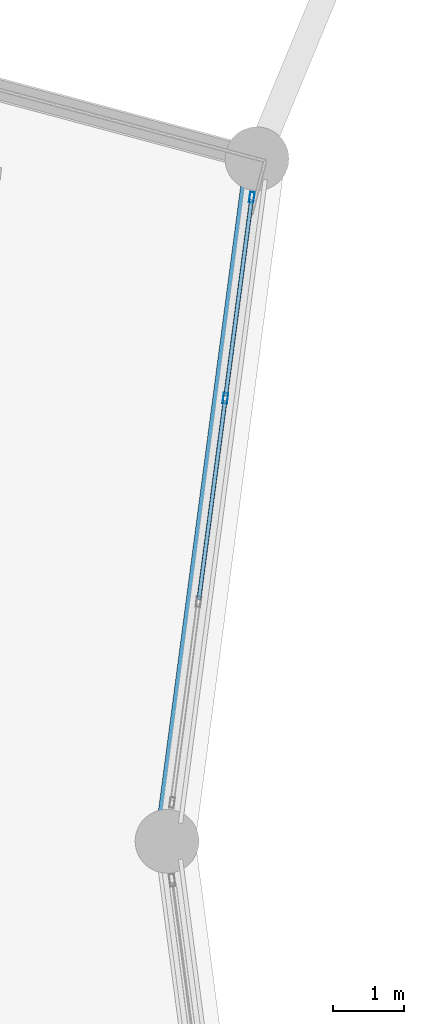
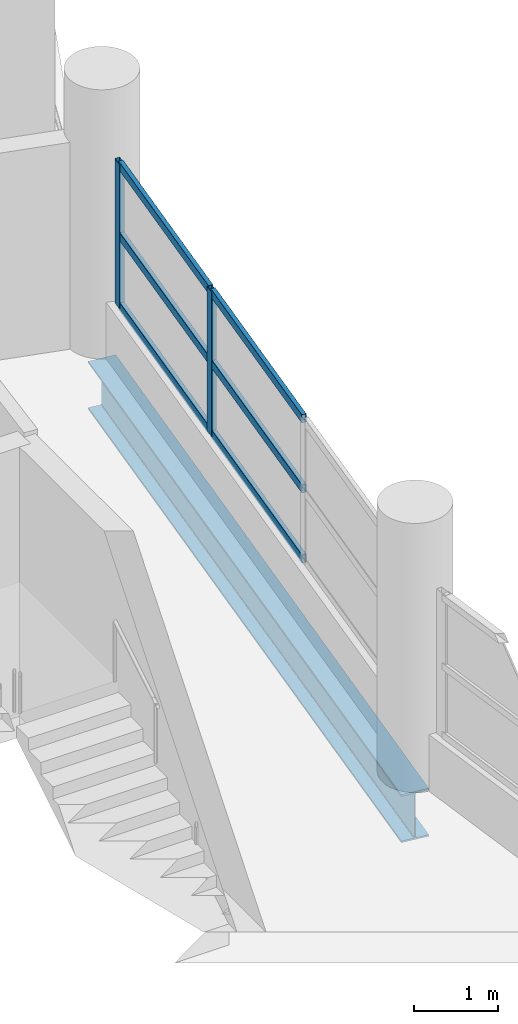
# One storey, part 32 of 88: 8 members, 1 beam, 1 element without a shape of its own.
"""IFC4 building model written with IfcOpenShell, lengths in metres."""

from ifc_helpers import new_model, si_unit, direction, frame, origin, origin_2d, place, context, subcontext, project, spatial, hollow_rectangle, i_section, extrude, material, layer, layer_set, material_profile, profile_set, type_object, element, aggregate, save


model = new_model("IFC4")

# Units and contexts
model_context = context("Model", 3, precision=1e-05, world=origin(), true_north=direction((0.0, 1.0)))
body_context = subcontext(model_context, "Body", "Model", "MODEL_VIEW")
ifc_project = project(units=[si_unit("LENGTHUNIT", "METRE"), si_unit("AREAUNIT", "SQUARE_METRE"), si_unit("VOLUMEUNIT", "CUBIC_METRE"), si_unit("PLANEANGLEUNIT", "RADIAN"), si_unit("MASSUNIT", "GRAM", prefix="KILO")], contexts=[model_context])

# Site, building, storey
site_placement = place(None, origin())
site = spatial("IfcSite", under=ifc_project, at=site_placement, CompositionType="ELEMENT")
building_placement = place(site_placement, origin())
building = spatial("IfcBuilding", under=site, at=building_placement, Name="Vespera Passage Community Centre", CompositionType="ELEMENT")
storey_placement = place(building_placement, frame((0.0, 0.0, 16.5)))
storey = spatial("IfcBuildingStorey", under=building, at=storey_placement, Name="L04", CompositionType="ELEMENT", Elevation=16.5)

# Beam
ifc_material_1 = material(Name="Steel ASTM A992 Grade 50", Category="steel")
ifc_material_profile_1 = material_profile(ifc_material_1, i_section(OverallWidth=0.3544921875, OverallDepth=0.695556640625, WebThickness=0.015380859375, FlangeThickness=0.024658203125, FilletRadius=0.01513671875, at=origin_2d()), Name="W27X146")
ifc_profile_set_1 = profile_set([ifc_material_profile_1], Name="Steel ASTM A992 Grade 50")
beam_type = type_object("IfcBeamType", Name="BM-SP-W27X146E", PredefinedType="SPANDREL", material=ifc_profile_set_1)
beam_placement = place(storey_placement, frame((42.067626953125, 75.128173828125, -0.647705078125), z_axis=(-0.130526697639, -0.991444794834, 0.0), x_axis=(0.991444794834, -0.130526697639, 0.0)))
element("IfcBeam", 1, at=beam_placement, inside=storey, type_object=beam_type, Name="V4 L04 Inner Spandrel 11", PredefinedType="SPANDREL", context=body_context, shape_type="SweptSolid", body=[
    extrude(i_section(OverallWidth=0.3544921875, OverallDepth=0.695556640625, WebThickness=0.015380859375, FlangeThickness=0.024658203125, FilletRadius=0.01513671875, at=origin_2d()), origin(), (0.0, 0.0, 1.0), 9.711181640625),
])

# Curtain wall, members
ifc_material_2 = material(Name="Anodized aluminium 6063-T6", Category="aluminium")
ifc_layer = layer(ifc_material_2, 0.159912109375)
ifc_layer_set = layer_set([ifc_layer], Name="Anodized aluminium 6063-T6")
curtain_wall_type = type_object("IfcCurtainWallType", Name="CW-58E", PredefinedType="NOTDEFINED", material=ifc_layer_set)
curtain_wall_placement = place(storey_placement, origin())
curtain_wall = element("IfcCurtainWall", 2, at=curtain_wall_placement, inside=storey, type_object=curtain_wall_type, Name="V4 L04 Inner Court Curtain Wall 11", PredefinedType="NOTDEFINED")
ifc_material_3 = material(Name="Anodized aluminium 6063-T6", Category="aluminium")
ifc_material_profile_2 = material_profile(ifc_material_3, hollow_rectangle(XDim=0.06494140625, YDim=0.14990234375, WallThickness=0.00390625, InnerFilletRadius=0.001953125, OuterFilletRadius=0.00390625, at=origin_2d()), Name="ALU150X65X4")
ifc_profile_set_2 = profile_set([ifc_material_profile_2], Name="Anodized aluminium 6063-T6")
member_type_1 = type_object("IfcMemberType", Name="MB-CWM-150E", PredefinedType="MULLION", material=ifc_profile_set_2)
member_1_placement = place(storey_placement, frame((41.995849609375, 74.582763671875, 0.820068359375), z_axis=(0.0, 0.0, 1.0), x_axis=(0.991445387728, -0.1305221941, 0.0)))
member_1 = element("IfcMember", 3, at=member_1_placement, type_object=member_type_1, Name="CW-58E mullion 1", PredefinedType="MULLION", context=body_context, shape_type="SweptSolid", body=[
    extrude(hollow_rectangle(XDim=0.06494140625, YDim=0.14990234375, WallThickness=0.00390625, InnerFilletRadius=0.001953125, OuterFilletRadius=0.00390625, at=origin_2d()), origin(), (0.0, 0.0, 1.0), 2.08935546875),
])
member_2_placement = place(storey_placement, frame((41.62255859375, 71.74755859375, 0.820068359375), z_axis=(0.0, 0.0, 1.0), x_axis=(0.991445387728, -0.1305221941, 0.0)))
member_2 = element("IfcMember", 4, at=member_2_placement, type_object=member_type_1, Name="CW-58E mullion 2", PredefinedType="MULLION", context=body_context, shape_type="SweptSolid", body=[
    extrude(hollow_rectangle(XDim=0.06494140625, YDim=0.14990234375, WallThickness=0.00390625, InnerFilletRadius=0.001953125, OuterFilletRadius=0.00390625, at=origin_2d()), origin(), (0.0, 0.0, 1.0), 2.08935546875),
])
ifc_material_4 = material(Name="Anodized aluminium 6063-T6", Category="aluminium")
ifc_material_profile_3 = material_profile(ifc_material_4, hollow_rectangle(XDim=0.06005859375, YDim=0.1201171875, WallThickness=0.00390625, InnerFilletRadius=0.001953125, OuterFilletRadius=0.00390625, at=origin_2d()), Name="ALU120X60X4")
ifc_profile_set_3 = profile_set([ifc_material_profile_3], Name="Anodized aluminium 6063-T6")
member_type_2 = type_object("IfcMemberType", Name="MB-CWT-120E", PredefinedType="USERDEFINED", material=ifc_profile_set_3)
member_3_placement = place(storey_placement, frame((41.991455078125, 74.550537109375, 0.85009765625), z_axis=(-0.130515527399, -0.991446265366, 0.0), x_axis=(0.991446265366, -0.130515527399, 0.0)))
member_3 = element("IfcMember", 5, at=member_3_placement, type_object=member_type_2, Name="CW-58E transom 1.1", ObjectType="TRANSOM", PredefinedType="USERDEFINED", context=body_context, shape_type="SweptSolid", body=[
    extrude(hollow_rectangle(XDim=0.06005859375, YDim=0.1201171875, WallThickness=0.00390625, InnerFilletRadius=0.001953125, OuterFilletRadius=0.00390625, at=origin_2d()), origin(), (0.0, 0.0, 1.0), 2.794677734375),
])
member_4_placement = place(storey_placement, frame((41.991455078125, 74.550537109375, 1.86474609375), z_axis=(-0.130515527399, -0.991446265366, 0.0), x_axis=(0.991446265366, -0.130515527399, 0.0)))
member_4 = element("IfcMember", 6, at=member_4_placement, type_object=member_type_2, Name="CW-58E transom 1.2", ObjectType="TRANSOM", PredefinedType="USERDEFINED", context=body_context, shape_type="SweptSolid", body=[
    extrude(hollow_rectangle(XDim=0.06005859375, YDim=0.1201171875, WallThickness=0.00390625, InnerFilletRadius=0.001953125, OuterFilletRadius=0.00390625, at=origin_2d()), origin(), (0.0, 0.0, 1.0), 2.794677734375),
])
member_5_placement = place(storey_placement, frame((41.991455078125, 74.550537109375, 2.87939453125), z_axis=(-0.130515527399, -0.991446265366, 0.0), x_axis=(0.991446265366, -0.130515527399, 0.0)))
member_5 = element("IfcMember", 7, at=member_5_placement, type_object=member_type_2, Name="CW-58E transom 1.3", ObjectType="TRANSOM", PredefinedType="USERDEFINED", context=body_context, shape_type="SweptSolid", body=[
    extrude(hollow_rectangle(XDim=0.06005859375, YDim=0.1201171875, WallThickness=0.00390625, InnerFilletRadius=0.001953125, OuterFilletRadius=0.00390625, at=origin_2d()), origin(), (0.0, 0.0, 1.0), 2.794677734375),
])
member_6_placement = place(storey_placement, frame((41.618408203125, 71.71533203125, 0.85009765625), z_axis=(-0.130579616175, -0.991437826512, 0.0), x_axis=(0.991437826512, -0.130579616175, 0.0)))
member_6 = element("IfcMember", 8, at=member_6_placement, type_object=member_type_2, Name="CW-58E transom 2.1", ObjectType="TRANSOM", PredefinedType="USERDEFINED", context=body_context, shape_type="SweptSolid", body=[
    extrude(hollow_rectangle(XDim=0.06005859375, YDim=0.1201171875, WallThickness=0.00390625, InnerFilletRadius=0.001953125, OuterFilletRadius=0.00390625, at=origin_2d()), origin(), (0.0, 0.0, 1.0), 2.826904296875),
])
member_7_placement = place(storey_placement, frame((41.618408203125, 71.71533203125, 1.86474609375), z_axis=(-0.130579616175, -0.991437826512, 0.0), x_axis=(0.991437826512, -0.130579616175, 0.0)))
member_7 = element("IfcMember", 9, at=member_7_placement, type_object=member_type_2, Name="CW-58E transom 2.2", ObjectType="TRANSOM", PredefinedType="USERDEFINED", context=body_context, shape_type="SweptSolid", body=[
    extrude(hollow_rectangle(XDim=0.06005859375, YDim=0.1201171875, WallThickness=0.00390625, InnerFilletRadius=0.001953125, OuterFilletRadius=0.00390625, at=origin_2d()), origin(), (0.0, 0.0, 1.0), 2.826904296875),
])
member_8_placement = place(storey_placement, frame((41.618408203125, 71.71533203125, 2.87939453125), z_axis=(-0.130579616175, -0.991437826512, 0.0), x_axis=(0.991437826512, -0.130579616175, 0.0)))
member_8 = element("IfcMember", 10, at=member_8_placement, type_object=member_type_2, Name="CW-58E transom 2.3", ObjectType="TRANSOM", PredefinedType="USERDEFINED", context=body_context, shape_type="SweptSolid", body=[
    extrude(hollow_rectangle(XDim=0.06005859375, YDim=0.1201171875, WallThickness=0.00390625, InnerFilletRadius=0.001953125, OuterFilletRadius=0.00390625, at=origin_2d()), origin(), (0.0, 0.0, 1.0), 2.826904296875),
])
aggregate(curtain_wall, [member_1, member_2, member_3, member_4, member_5, member_6, member_7, member_8])

save(model, "model.ifc")
